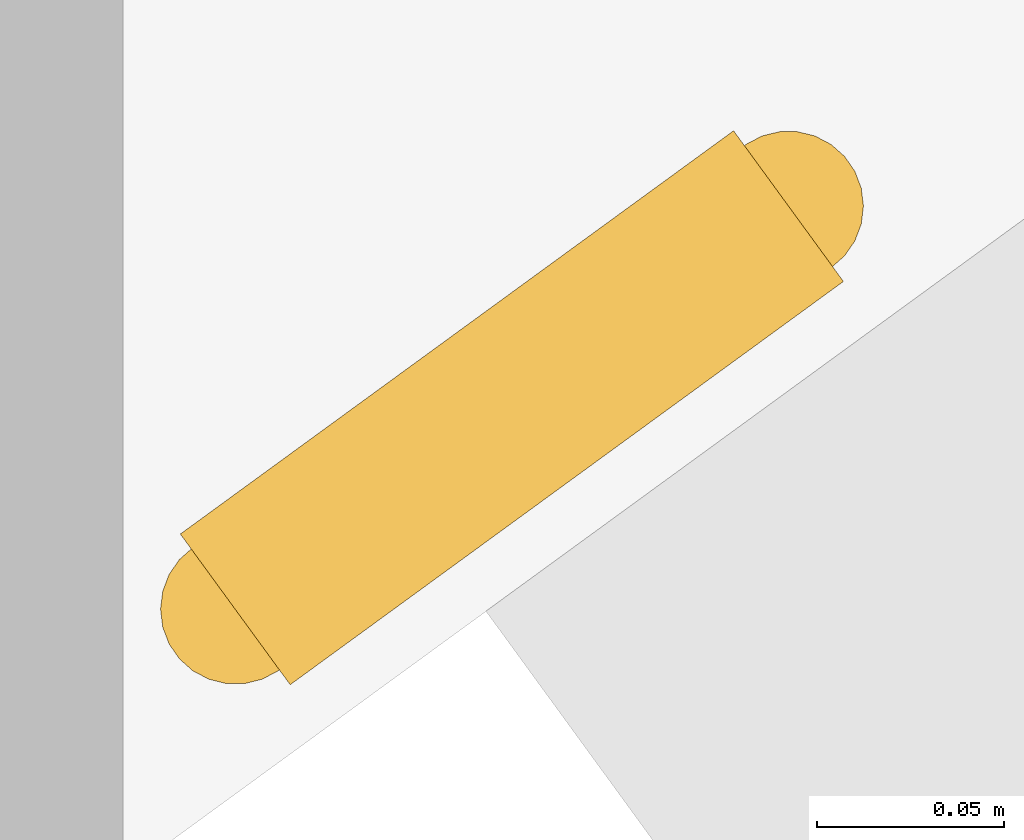
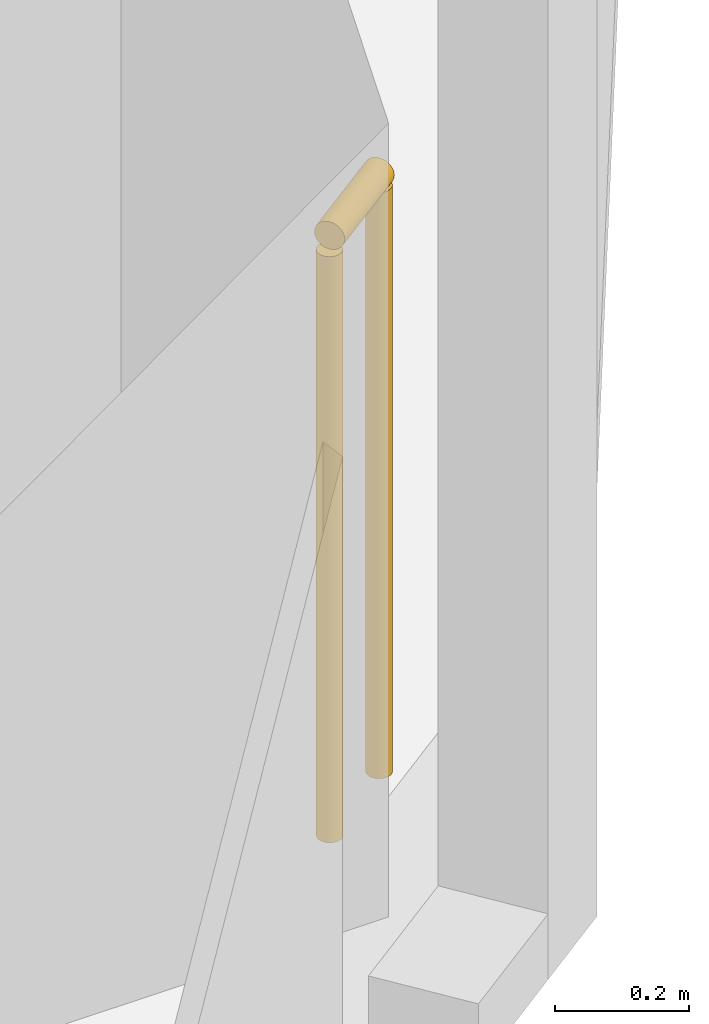
# One storey, part 23 of 23: 1 railing.
"""IFC4 building model written with IfcOpenShell, lengths in metres."""

from ifc_helpers import new_model, si_unit, direction, frame, origin, origin_2d, place, context, subcontext, project, spatial, circle, extrude, material, type_object, element, save


model = new_model("IFC4")

# Units and contexts
model_context = context("Model", 3, precision=1e-05, world=origin(), true_north=direction((0.0, 1.0)))
body_context = subcontext(model_context, "Body", "Model", "MODEL_VIEW")
ifc_project = project(units=[si_unit("LENGTHUNIT", "METRE"), si_unit("AREAUNIT", "SQUARE_METRE"), si_unit("VOLUMEUNIT", "CUBIC_METRE"), si_unit("PLANEANGLEUNIT", "RADIAN"), si_unit("MASSUNIT", "GRAM", prefix="KILO")], contexts=[model_context])

# Site, building, storey
site_placement = place(None, origin())
site = spatial("IfcSite", under=ifc_project, at=site_placement, CompositionType="ELEMENT")
building_placement = place(site_placement, origin())
building = spatial("IfcBuilding", under=site, at=building_placement, Name="Orlundy Tower", CompositionType="ELEMENT")
storey_placement = place(building_placement, frame((0.0, 0.0, 260.5)))
storey = spatial("IfcBuildingStorey", under=building, at=storey_placement, Name="L69", CompositionType="ELEMENT", Elevation=260.5)

# Railing
ifc_material = material(Name="Stainless steel bronze finish", Category="steel")
railing_type = type_object("IfcRailingType", Name="TG1 terrace guard", PredefinedType="GUARDRAIL", material=ifc_material)
railing_placement = place(storey_placement, frame((38.435791015625, -3.45361328125, 0.0)))
element("IfcRailing", 1, at=railing_placement, inside=storey, type_object=railing_type, Name="Guard TG-L69-E10", PredefinedType="GUARDRAIL", context=body_context, shape_type="SweptSolid", body=[
    extrude(circle(Radius=0.02490234375, at=origin_2d()), frame((0.0, 0.0, 1.09521484375), z_axis=(-0.80810025107, -0.589044976399, 0.0), x_axis=(0.589044976399, -0.80810025107, 0.0)), (0.0, 0.0, 1.0), 0.182861328125),
    extrude(circle(Radius=0.02001953125, at=origin_2d()), origin(), (0.0, 0.0, 1.0), 1.070068359375),
    extrude(circle(Radius=0.02001953125, at=origin_2d()), frame((-0.147705078125, -0.107666015625, 0.0)), (0.0, 0.0, 1.0), 1.070068359375),
])

save(model, "model.ifc")
